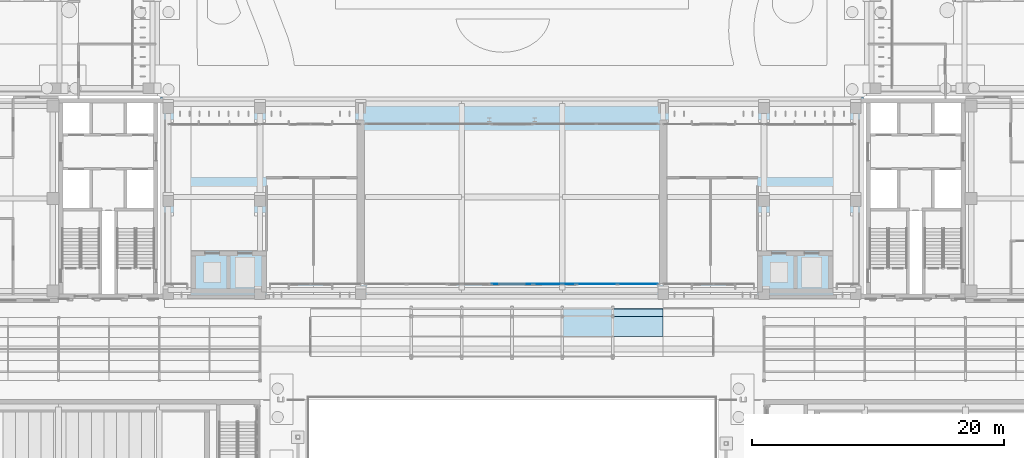
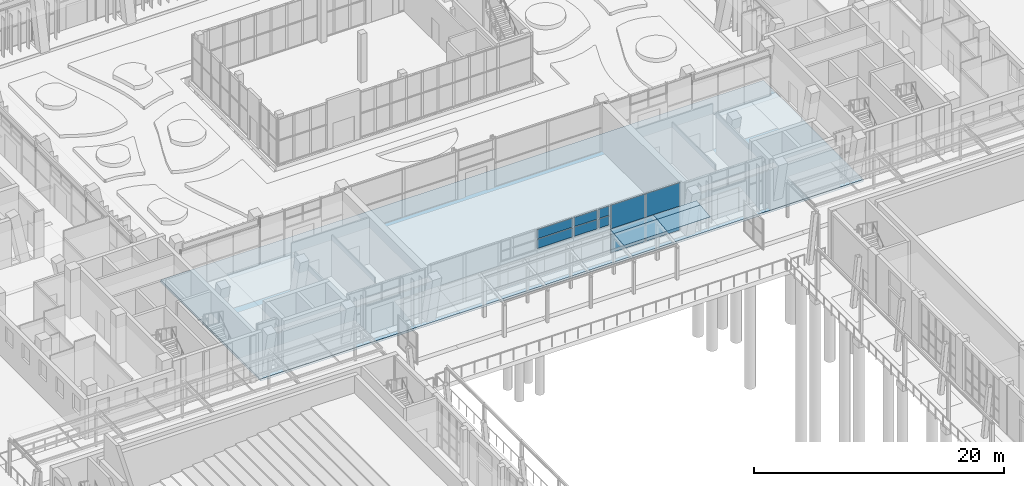
# One storey, part 90 of 144: 14 plates, 1 slab, 4 elements without a shape of their own.
"""IFC4 building model written with IfcOpenShell, lengths in metres."""

from ifc_helpers import new_model, si_unit, direction, frame, origin, origin_2d, place, context, subcontext, project, spatial, polyline, rectangle, outline, extrude, material, layer, layer_set, type_object, element, aggregate, save


model = new_model("IFC4")

# Units and contexts
model_context = context("Model", 3, precision=1e-05, world=origin(), true_north=direction((0.0, 1.0)))
body_context = subcontext(model_context, "Body", "Model", "MODEL_VIEW")
ifc_project = project(units=[si_unit("LENGTHUNIT", "METRE"), si_unit("AREAUNIT", "SQUARE_METRE"), si_unit("VOLUMEUNIT", "CUBIC_METRE"), si_unit("PLANEANGLEUNIT", "RADIAN"), si_unit("MASSUNIT", "GRAM", prefix="KILO")], contexts=[model_context])

# Site, building, storey
site_placement = place(None, origin())
site = spatial("IfcSite", under=ifc_project, at=site_placement, CompositionType="ELEMENT")
building_placement = place(site_placement, origin())
building = spatial("IfcBuilding", under=site, at=building_placement, Name="Lantern Court Media Centre", CompositionType="ELEMENT")
storey_placement = place(building_placement, origin())
storey = spatial("IfcBuildingStorey", under=building, at=storey_placement, Name="L00", CompositionType="ELEMENT", Elevation=0.0)

# Plates
ifc_material_1 = material(Name="Laminated glass 8+8", Category="glass")
ifc_layer_1 = layer(ifc_material_1, 0.031982421875)
ifc_layer_set_1 = layer_set([ifc_layer_1], Name="Laminated glass 8+8")
plate_type_1 = type_object("IfcPlateType", Name="Canopy roof glass 32", PredefinedType="SHEET", material=ifc_layer_set_1)
plate_1_placement = place(storey_placement, frame((56.0, 44.996337890625, 3.72607421875), z_axis=(0.0, -0.118045683032, 0.993008165484), x_axis=(1.0, 0.0, 0.0)))
element("IfcPlate", 1, at=plate_1_placement, inside=storey, type_object=plate_type_1, Name="Entrance canopy glass panel", PredefinedType="SHEET", context=body_context, shape_type="SweptSolid", body=[
    extrude(outline(polyline([(0.0, 0.0), (4.0, 0.0), (4.0, 1.6111181873772684), (0.0, 1.6111181873772684), (0.0, 0.0)])), origin(), (0.0, 0.0, -1.0), 0.031982421875),
])
plate_2_placement = place(storey_placement, frame((56.0, 46.59619140625, 3.916259765625), z_axis=(0.0, -0.118364633013, 0.992970197766), x_axis=(1.0, 0.0, 0.0)))
element("IfcPlate", 2, at=plate_2_placement, inside=storey, type_object=plate_type_1, Name="Entrance canopy glass panel", PredefinedType="SHEET", context=body_context, shape_type="SweptSolid", body=[
    extrude(outline(polyline([(0.0, 0.0), (4.0, 0.0), (4.0, 0.6043460897416858), (0.0, 0.6043460897416858), (0.0, 0.0)])), origin(), (0.0, 0.0, -1.0), 0.031982421875),
])
plate_3_placement = place(storey_placement, frame((60.0, 44.996337890625, 3.72607421875), z_axis=(0.0, -0.118045683032, 0.993008165484), x_axis=(1.0, 0.0, 0.0)))
element("IfcPlate", 3, at=plate_3_placement, inside=storey, type_object=plate_type_1, Name="Entrance canopy glass panel", PredefinedType="SHEET", context=body_context, shape_type="SweptSolid", body=[
    extrude(outline(polyline([(0.0, 0.0), (4.0, 0.0), (4.0, 1.6111181873772684), (0.0, 1.6111181873772684), (0.0, 0.0)])), origin(), (0.0, 0.0, -1.0), 0.031982421875),
])
plate_4_placement = place(storey_placement, frame((60.0, 46.59619140625, 3.916259765625), z_axis=(0.0, -0.118364633013, 0.992970197766), x_axis=(1.0, 0.0, 0.0)))
element("IfcPlate", 4, at=plate_4_placement, inside=storey, type_object=plate_type_1, Name="Entrance canopy glass panel", PredefinedType="SHEET", context=body_context, shape_type="SweptSolid", body=[
    extrude(outline(polyline([(0.0, 0.0), (4.0, 0.0), (4.0, 0.6043460897416858), (0.0, 0.6043460897416858), (0.0, 0.0)])), origin(), (0.0, 0.0, -1.0), 0.031982421875),
])

# Curtain wall, plates
ifc_material_2 = material(Name="Curtain wall bay 4000")
curtain_wall_type = type_object("IfcCurtainWallType", Name="Curtain wall bay 4000", PredefinedType="NOTDEFINED", material=ifc_material_2)
curtain_wall_1_placement = place(storey_placement, origin())
curtain_wall_1 = element("IfcCurtainWall", 5, at=curtain_wall_1_placement, inside=storey, type_object=curtain_wall_type, Name="Curtain wall S outer L00", PredefinedType="NOTDEFINED")
ifc_material_3 = material(Name="Laminated low-iron glass", Category="glass")
ifc_layer_2 = layer(ifc_material_3, 0.0400390625)
ifc_layer_set_2 = layer_set([ifc_layer_2], Name="Laminated low-iron glass")
plate_type_2 = type_object("IfcPlateType", Name="Curtain wall glazing unit 40", PredefinedType="CURTAIN_PANEL", material=ifc_layer_set_2)
plate_5_placement = place(storey_placement, frame((58.757568359375, 49.14990234375, 0.080078125), z_axis=(0.0, 0.0, 1.0), x_axis=(1.0, 0.0, 0.0)))
plate_5 = element("IfcPlate", 6, at=plate_5_placement, type_object=plate_type_2, Name="CW3 panel 1.1", PredefinedType="CURTAIN_PANEL", context=body_context, shape_type="SweptSolid", body=[
    extrude(rectangle(XDim=3.155029296875, YDim=0.0400390625, at=origin_2d()), origin(), (0.0, 0.0, 1.0), 2.280029296875),
])
plate_6_placement = place(storey_placement, frame((58.757568359375, 49.14990234375, 2.43994140625), z_axis=(0.0, 0.0, 1.0), x_axis=(1.0, 0.0, 0.0)))
plate_6 = element("IfcPlate", 7, at=plate_6_placement, type_object=plate_type_2, Name="CW3 panel 1.2", PredefinedType="CURTAIN_PANEL", context=body_context, shape_type="SweptSolid", body=[
    extrude(rectangle(XDim=3.155029296875, YDim=0.0400390625, at=origin_2d()), origin(), (0.0, 0.0, 1.0), 2.280029296875),
])
plate_7_placement = place(storey_placement, frame((61.992431640625, 49.14990234375, 0.080078125), z_axis=(0.0, 0.0, 1.0), x_axis=(1.0, 0.0, 0.0)))
plate_7 = element("IfcPlate", 8, at=plate_7_placement, type_object=plate_type_2, Name="CW3 panel 2.1", PredefinedType="CURTAIN_PANEL", context=body_context, shape_type="SweptSolid", body=[
    extrude(rectangle(XDim=3.155029296875, YDim=0.0400390625, at=origin_2d()), origin(), (0.0, 0.0, 1.0), 2.280029296875),
])
plate_8_placement = place(storey_placement, frame((61.992431640625, 49.14990234375, 2.43994140625), z_axis=(0.0, 0.0, 1.0), x_axis=(1.0, 0.0, 0.0)))
plate_8 = element("IfcPlate", 9, at=plate_8_placement, type_object=plate_type_2, Name="CW3 panel 2.2", PredefinedType="CURTAIN_PANEL", context=body_context, shape_type="SweptSolid", body=[
    extrude(rectangle(XDim=3.155029296875, YDim=0.0400390625, at=origin_2d()), origin(), (0.0, 0.0, 1.0), 2.280029296875),
])
aggregate(curtain_wall_1, [plate_5, plate_6, plate_7, plate_8])

curtain_wall_2_placement = place(storey_placement, origin())
curtain_wall_2 = element("IfcCurtainWall", 10, at=curtain_wall_2_placement, inside=storey, type_object=curtain_wall_type, Name="Curtain wall S outer L00", PredefinedType="NOTDEFINED")
plate_9_placement = place(storey_placement, frame((52.0, 49.14990234375, 2.880126953125), z_axis=(0.0, 0.0, 1.0), x_axis=(1.0, 0.0, 0.0)))
plate_9 = element("IfcPlate", 11, at=plate_9_placement, type_object=plate_type_2, Name="CW3 panel 1.1", PredefinedType="CURTAIN_PANEL", context=body_context, shape_type="SweptSolid", body=[
    extrude(rectangle(XDim=3.239990234375, YDim=0.0400390625, at=origin_2d()), origin(), (0.0, 0.0, 1.0), 0.8798828125),
])
plate_10_placement = place(storey_placement, frame((52.0, 49.14990234375, 3.840087890625), z_axis=(0.0, 0.0, 1.0), x_axis=(1.0, 0.0, 0.0)))
plate_10 = element("IfcPlate", 12, at=plate_10_placement, type_object=plate_type_2, Name="CW3 panel 1.2", PredefinedType="CURTAIN_PANEL", context=body_context, shape_type="SweptSolid", body=[
    extrude(rectangle(XDim=3.239990234375, YDim=0.0400390625, at=origin_2d()), origin(), (0.0, 0.0, 1.0), 0.8798828125),
])
aggregate(curtain_wall_2, [plate_9, plate_10])

curtain_wall_3_placement = place(storey_placement, origin())
curtain_wall_3 = element("IfcCurtainWall", 13, at=curtain_wall_3_placement, inside=storey, type_object=curtain_wall_type, Name="Curtain wall S outer L00", PredefinedType="NOTDEFINED")
plate_11_placement = place(storey_placement, frame((54.85009765625, 49.14990234375, 2.880126953125), z_axis=(0.0, 0.0, 1.0), x_axis=(1.0, 0.0, 0.0)))
plate_11 = element("IfcPlate", 14, at=plate_11_placement, type_object=plate_type_2, Name="CW3 panel 1.1", PredefinedType="CURTAIN_PANEL", context=body_context, shape_type="SweptSolid", body=[
    extrude(rectangle(XDim=2.139892578125, YDim=0.0400390625, at=origin_2d()), origin(), (0.0, 0.0, 1.0), 0.8798828125),
])
plate_12_placement = place(storey_placement, frame((54.85009765625, 49.14990234375, 3.840087890625), z_axis=(0.0, 0.0, 1.0), x_axis=(1.0, 0.0, 0.0)))
plate_12 = element("IfcPlate", 15, at=plate_12_placement, type_object=plate_type_2, Name="CW3 panel 1.2", PredefinedType="CURTAIN_PANEL", context=body_context, shape_type="SweptSolid", body=[
    extrude(rectangle(XDim=2.139892578125, YDim=0.0400390625, at=origin_2d()), origin(), (0.0, 0.0, 1.0), 0.8798828125),
])
aggregate(curtain_wall_3, [plate_11, plate_12])

curtain_wall_4_placement = place(storey_placement, origin())
curtain_wall_4 = element("IfcCurtainWall", 16, at=curtain_wall_4_placement, inside=storey, type_object=curtain_wall_type, Name="Curtain wall S outer L00", PredefinedType="NOTDEFINED")
plate_13_placement = place(storey_placement, frame((56.550048828125, 49.14990234375, 2.880126953125), z_axis=(0.0, 0.0, 1.0), x_axis=(1.0, 0.0, 0.0)))
plate_13 = element("IfcPlate", 17, at=plate_13_placement, type_object=plate_type_2, Name="CW3 panel 1.1", PredefinedType="CURTAIN_PANEL", context=body_context, shape_type="SweptSolid", body=[
    extrude(rectangle(XDim=0.93994140625, YDim=0.0400390625, at=origin_2d()), origin(), (0.0, 0.0, 1.0), 0.8798828125),
])
plate_14_placement = place(storey_placement, frame((56.550048828125, 49.14990234375, 3.840087890625), z_axis=(0.0, 0.0, 1.0), x_axis=(1.0, 0.0, 0.0)))
plate_14 = element("IfcPlate", 18, at=plate_14_placement, type_object=plate_type_2, Name="CW3 panel 1.2", PredefinedType="CURTAIN_PANEL", context=body_context, shape_type="SweptSolid", body=[
    extrude(rectangle(XDim=0.93994140625, YDim=0.0400390625, at=origin_2d()), origin(), (0.0, 0.0, 1.0), 0.8798828125),
])
aggregate(curtain_wall_4, [plate_13, plate_14])

# Slab
ifc_material_4 = material(Name="Concrete C35", Category="concrete")
ifc_layer_3 = layer(ifc_material_4, 0.219970703125)
ifc_layer_set_3 = layer_set([ifc_layer_3], Name="Concrete C35")
slab_type = type_object("IfcSlabType", Name="RC FLOOR SLAB 220", PredefinedType="FLOOR", material=ifc_layer_set_3)
slab_placement = place(storey_placement, frame((0.0, 0.0, -0.219970703125)))
element("IfcSlab", 19, at=slab_placement, inside=storey, type_object=slab_type, Name="SL-S-L00", PredefinedType="FLOOR", context=body_context, shape_type="SweptSolid", body=[
    extrude(outline(polyline([(79.89990234375, 48.0), (79.89990234375, 64.0), (24.10009765625, 64.0), (24.10009765625, 48.0), (79.89990234375, 48.0)])), origin(), (0.0, 0.0, 1.0), 0.219970703125),
])

save(model, "model.ifc")
